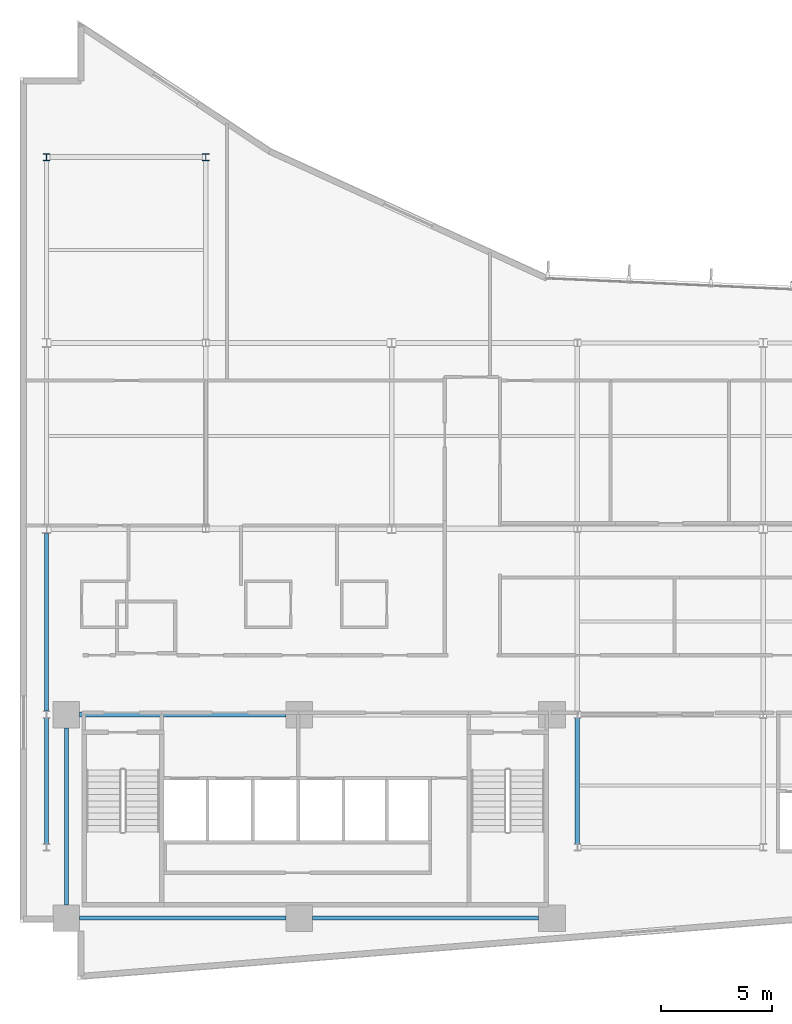
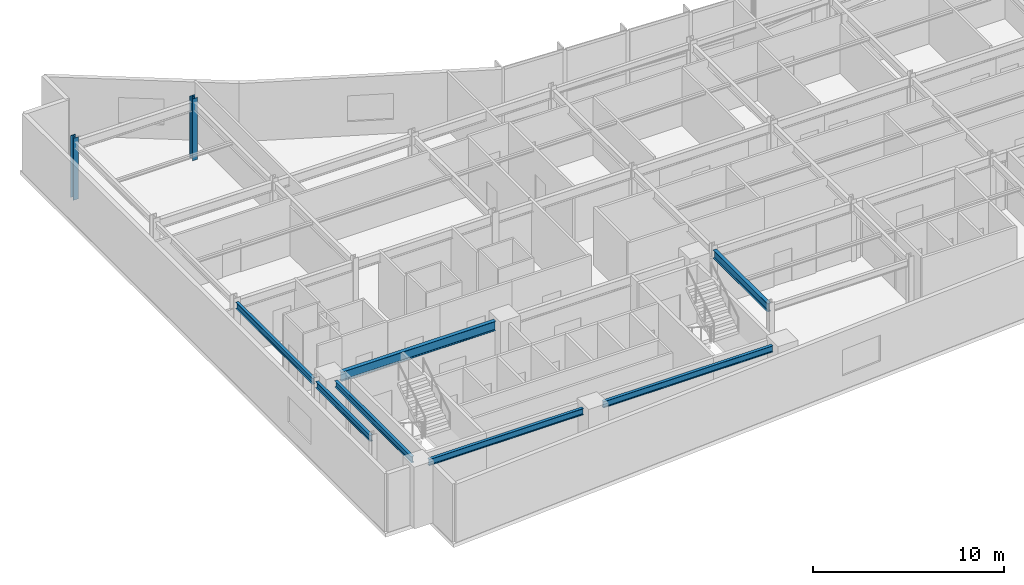
# One storey, part 3 of 18: 7 beams, 2 columns.
"""IFC4 building model written with IfcOpenShell, lengths in metres."""

from ifc_helpers import new_model, si_unit, direction, frame, origin, origin_2d, place, context, subcontext, project, spatial, i_section, extrude, material, material_profile, profile_set, type_object, element, save


model = new_model("IFC4")

# Units and contexts
model_context = context("Model", 3, precision=1e-05, world=origin(), true_north=direction((0.0, 1.0)))
body_context = subcontext(model_context, "Body", "Model", "MODEL_VIEW")
ifc_project = project(units=[si_unit("LENGTHUNIT", "METRE"), si_unit("AREAUNIT", "SQUARE_METRE"), si_unit("VOLUMEUNIT", "CUBIC_METRE"), si_unit("PLANEANGLEUNIT", "RADIAN"), si_unit("MASSUNIT", "GRAM", prefix="KILO")], contexts=[model_context])

# Site, building, storey
site_placement = place(None, origin())
site = spatial("IfcSite", under=ifc_project, at=site_placement, CompositionType="ELEMENT")
building_placement = place(site_placement, origin())
building = spatial("IfcBuilding", under=site, at=building_placement, Name="Varnakote Quay Hospital", CompositionType="ELEMENT")
storey_placement = place(building_placement, frame((0.0, 0.0, 154.699951171875)))
storey = spatial("IfcBuildingStorey", under=building, at=storey_placement, Name="L38", CompositionType="ELEMENT", Elevation=154.699951171875)

# Columns
ifc_material_1 = material(Name="Structural steel AS/NZS 3679.1 Grade 350 L0 (fy 340 MPa)", Category="steel")
ifc_material_profile_1 = material_profile(ifc_material_1, i_section(OverallWidth=0.306884765625, OverallDepth=0.31494140625, WebThickness=0.011962890625, FlangeThickness=0.018798828125, FilletRadius=0.0166015625, at=origin_2d()), Name="310UC118")
ifc_profile_set_1 = profile_set([ifc_material_profile_1], Name="Structural steel AS/NZS 3679.1 Grade 350 L0 (fy 340 MPa)")
column_type = type_object("IfcColumnType", Name="COL-STL-310UC118", PredefinedType="COLUMN", material=ifc_profile_set_1)
for number, where, z_axis, x_axis, name in (
    (1, (1.199951171875, 37.199951171875, 0.0), (0.0, 0.0, 1.0), (1.0, 0.0, 0.0), "L38 Structural Column C-1-37"),
    (2, (8.39990234375, 37.199951171875, 0.0), (0.0, 0.0, 1.0), (1.0, 0.0, 0.0), "L38 Structural Column C-8-37"),
):
    element("IfcColumn", number, at=place(storey_placement, frame(where, z_axis=z_axis, x_axis=x_axis)), inside=storey, type_object=column_type, Name=name, PredefinedType="COLUMN", context=body_context, shape_type="SweptSolid", body=[
        extrude(i_section(OverallWidth=0.306884765625, OverallDepth=0.31494140625, WebThickness=0.011962890625, FlangeThickness=0.018798828125, FilletRadius=0.0166015625, at=origin_2d()), origin(), (0.0, 0.0, 1.0), 3.949951171875),
    ])

# Beams
ifc_material_2 = material(Name="Structural steel AS/NZS 3679.1 Grade 350 L0 (fy 340 MPa)", Category="steel")
ifc_material_profile_2 = material_profile(ifc_material_2, i_section(OverallWidth=0.208984375, OverallDepth=0.532958984375, WebThickness=0.01025390625, FlangeThickness=0.015625, FilletRadius=0.013916015625, at=origin_2d()), Name="530UB92.4")
ifc_profile_set_2 = profile_set([ifc_material_profile_2], Name="Structural steel AS/NZS 3679.1 Grade 350 L0 (fy 340 MPa)")
beam_type_1 = type_object("IfcBeamType", Name="BM-STL-530UB92-4", PredefinedType="BEAM", material=ifc_profile_set_2)
beam_1_placement = place(storey_placement, frame((25.199951171875, 6.157470703125, 3.443603515625), z_axis=(0.0, 1.0, 0.0), x_axis=(-1.0, 0.0, 0.0)))
element("IfcBeam", 3, at=beam_1_placement, inside=storey, type_object=beam_type_1, Name="L38 Primary Tie Beam", PredefinedType="BEAM", context=body_context, shape_type="SweptSolid", body=[
    extrude(i_section(OverallWidth=0.208984375, OverallDepth=0.532958984375, WebThickness=0.01025390625, FlangeThickness=0.015625, FilletRadius=0.013916015625, at=origin_2d()), origin(), (0.0, 0.0, 1.0), 5.68505859375),
])
ifc_material_3 = material(Name="Structural steel AS/NZS 3679.1 Grade 350 L0 (fy 340 MPa)", Category="steel")
ifc_material_profile_3 = material_profile(ifc_material_3, i_section(OverallWidth=0.22802734375, OverallDepth=0.60205078125, WebThickness=0.010498046875, FlangeThickness=0.014892578125, FilletRadius=0.013916015625, at=origin_2d()), Name="610UB101")
ifc_profile_set_3 = profile_set([ifc_material_profile_3], Name="Structural steel AS/NZS 3679.1 Grade 350 L0 (fy 340 MPa)")
beam_type_2 = type_object("IfcBeamType", Name="BM-STL-610UB101", PredefinedType="BEAM", material=ifc_profile_set_3)
beam_2_placement = place(storey_placement, frame((2.699951171875, 12.0, 3.408935546875), z_axis=(1.0, 0.0, 0.0), x_axis=(0.0, 1.0, 0.0)))
element("IfcBeam", 4, at=beam_2_placement, inside=storey, type_object=beam_type_2, Name="L38 Primary Floor Beam", PredefinedType="BEAM", context=body_context, shape_type="SweptSolid", body=[
    extrude(i_section(OverallWidth=0.22802734375, OverallDepth=0.60205078125, WebThickness=0.010498046875, FlangeThickness=0.014892578125, FilletRadius=0.013916015625, at=origin_2d()), origin(), (0.0, 0.0, 1.0), 9.320068359375),
])
ifc_material_4 = material(Name="Structural steel AS/NZS 3679.1 Grade 350 L0 (fy 340 MPa)", Category="steel")
ifc_material_profile_4 = material_profile(ifc_material_4, i_section(OverallWidth=0.177978515625, OverallDepth=0.403076171875, WebThickness=0.007568359375, FlangeThickness=0.010986328125, FilletRadius=0.011474609375, at=origin_2d()), Name="410UB53.7")
ifc_profile_set_4 = profile_set([ifc_material_profile_4], Name="Structural steel AS/NZS 3679.1 Grade 350 L0 (fy 340 MPa)")
beam_type_3 = type_object("IfcBeamType", Name="SPN-STL-410UB53-7", PredefinedType="SPANDREL", material=ifc_profile_set_4)
beam_3_placement = place(storey_placement, frame((1.199951171875, 6.157470703125, 3.508544921875), z_axis=(0.0, 1.0, 0.0), x_axis=(-1.0, 0.0, 0.0)))
element("IfcBeam", 5, at=beam_3_placement, inside=storey, type_object=beam_type_3, Name="L38 Perimeter Spandrel Beam", PredefinedType="SPANDREL", context=body_context, shape_type="SweptSolid", body=[
    extrude(i_section(OverallWidth=0.177978515625, OverallDepth=0.403076171875, WebThickness=0.007568359375, FlangeThickness=0.010986328125, FilletRadius=0.011474609375, at=origin_2d()), origin(), (0.0, 0.0, 1.0), 5.68505859375),
])
beam_4_placement = place(storey_placement, frame((1.199951171875, 12.157470703125, 3.508544921875), z_axis=(0.0, 1.0, 0.0), x_axis=(-1.0, 0.0, 0.0)))
element("IfcBeam", 6, at=beam_4_placement, inside=storey, type_object=beam_type_3, Name="L38 Perimeter Spandrel Beam", PredefinedType="SPANDREL", context=body_context, shape_type="SweptSolid", body=[
    extrude(i_section(OverallWidth=0.177978515625, OverallDepth=0.403076171875, WebThickness=0.007568359375, FlangeThickness=0.010986328125, FilletRadius=0.011474609375, at=origin_2d()), origin(), (0.0, 0.0, 1.0), 8.032470703125),
])
beam_5_placement = place(storey_placement, frame((2.10009765625, 3.39990234375, 3.508544921875), z_axis=(0.0, 1.0, 0.0), x_axis=(-1.0, 0.0, 0.0)))
element("IfcBeam", 7, at=beam_5_placement, inside=storey, type_object=beam_type_3, Name="L38 Perimeter Spandrel Beam", PredefinedType="SPANDREL", context=body_context, shape_type="SweptSolid", body=[
    extrude(i_section(OverallWidth=0.177978515625, OverallDepth=0.403076171875, WebThickness=0.007568359375, FlangeThickness=0.010986328125, FilletRadius=0.011474609375, at=origin_2d()), origin(), (0.0, 0.0, 1.0), 8.0),
])
ifc_material_5 = material(Name="Structural steel AS/NZS 3679.1 Grade 350 L0 (fy 340 MPa)", Category="steel")
ifc_material_profile_5 = material_profile(ifc_material_5, i_section(OverallWidth=0.177978515625, OverallDepth=0.406005859375, WebThickness=0.0078125, FlangeThickness=0.0126953125, FilletRadius=0.011474609375, at=origin_2d()), Name="410UB59.7")
ifc_profile_set_5 = profile_set([ifc_material_profile_5], Name="Structural steel AS/NZS 3679.1 Grade 350 L0 (fy 340 MPa)")
beam_type_4 = type_object("IfcBeamType", Name="SPN-STL-410UB59-7", PredefinedType="SPANDREL", material=ifc_profile_set_5)
beam_6_placement = place(storey_placement, frame((2.699951171875, 2.800048828125, 3.507080078125), z_axis=(1.0, 0.0, 0.0), x_axis=(0.0, 1.0, 0.0)))
element("IfcBeam", 8, at=beam_6_placement, inside=storey, type_object=beam_type_4, Name="L38 Perimeter Spandrel Beam", PredefinedType="SPANDREL", context=body_context, shape_type="SweptSolid", body=[
    extrude(i_section(OverallWidth=0.177978515625, OverallDepth=0.406005859375, WebThickness=0.0078125, FlangeThickness=0.0126953125, FilletRadius=0.011474609375, at=origin_2d()), origin(), (0.0, 0.0, 1.0), 9.320068359375),
])
beam_7_placement = place(storey_placement, frame((13.219970703125, 2.800048828125, 3.507080078125), z_axis=(1.0, 0.0, 0.0), x_axis=(0.0, 1.0, 0.0)))
element("IfcBeam", 9, at=beam_7_placement, inside=storey, type_object=beam_type_4, Name="L38 Perimeter Spandrel Beam", PredefinedType="SPANDREL", context=body_context, shape_type="SweptSolid", body=[
    extrude(i_section(OverallWidth=0.177978515625, OverallDepth=0.406005859375, WebThickness=0.0078125, FlangeThickness=0.0126953125, FilletRadius=0.011474609375, at=origin_2d()), origin(), (0.0, 0.0, 1.0), 10.22998046875),
])

save(model, "model.ifc")
